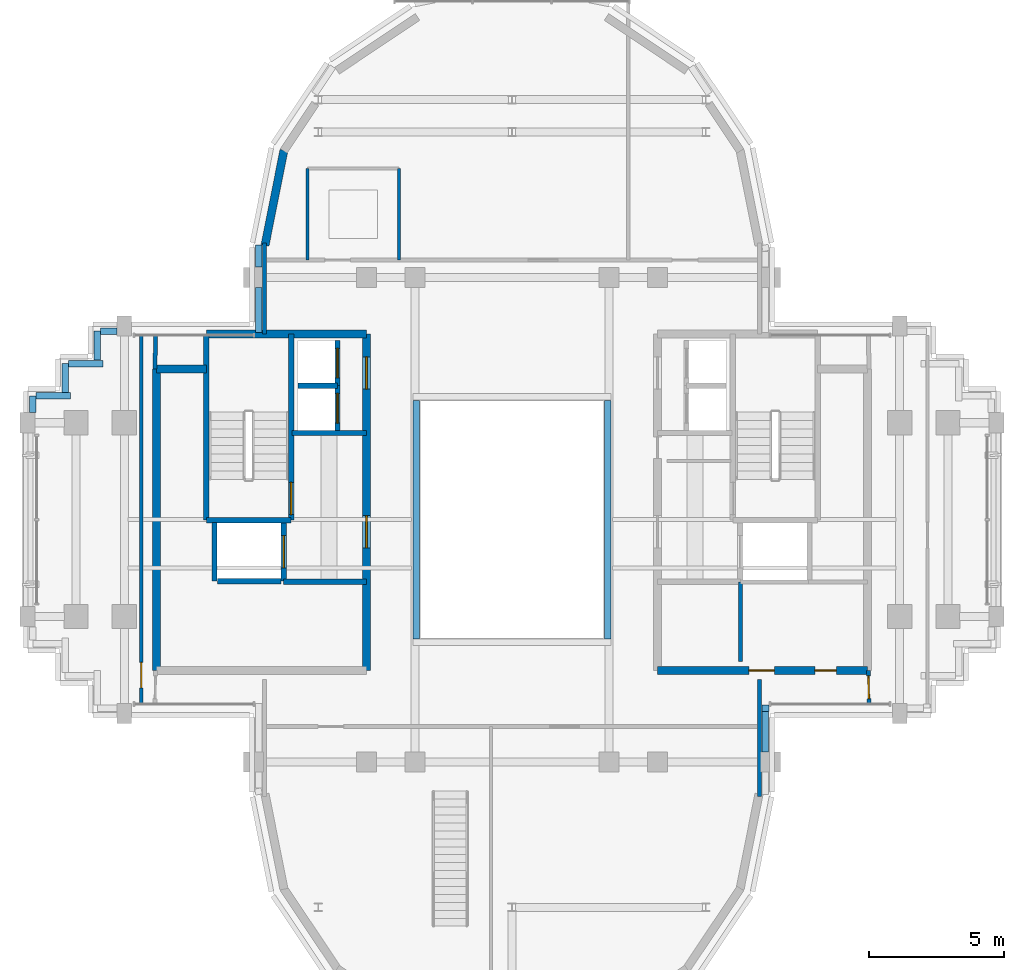
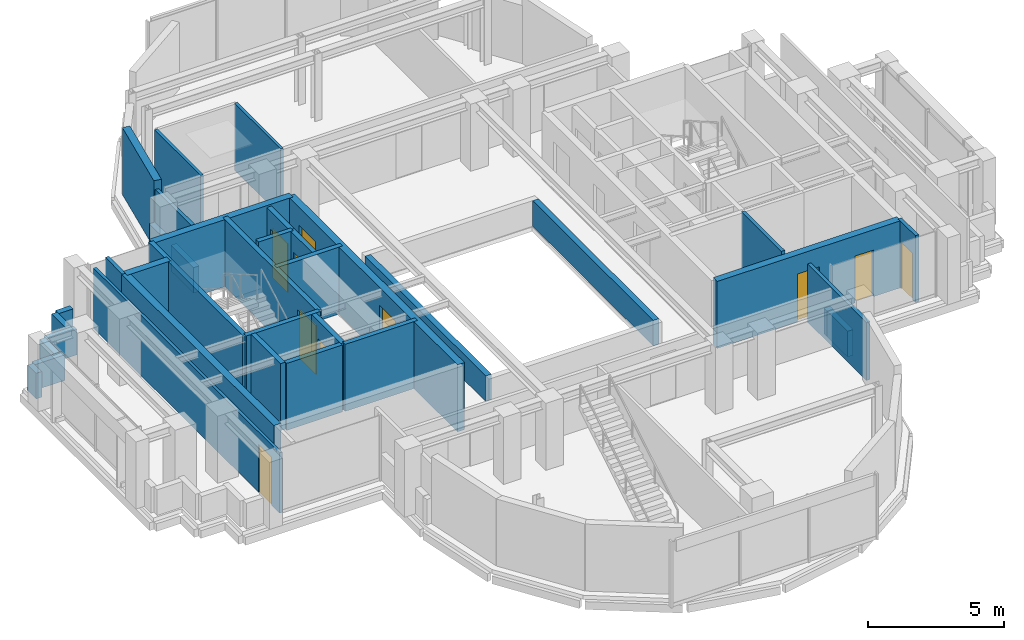
# One storey, part 8 of 12: 37 walls, 10 doors, 10 openings.
"""IFC4 building model written with IfcOpenShell, lengths in metres."""

import ifcopenshell
import ifcopenshell.guid

model = None  # the IFC model being written
_history = None  # IfcOwnerHistory: only IFC2X3 demands one
_inside = {}  # id of a spatial element -> (the spatial element, [elements in it])
_under = {}  # id of a project, library or spatial element -> (it, [spatial elements below it])
_declared = {}  # id of a project -> (the project, [libraries it declares])
_typed = {}  # id of a type object -> (the type object, [elements of that type])
_made_of = {}  # id of a material, layer set ... -> (it, [elements and type objects made of it])


def new_model(schema):
    """Start an empty IFC model of exactly this schema.

    Asked for "IFC4X3", IfcOpenShell would pick the latest addendum, in which some entities
    have other attributes; the version numbers below select the first issue.
    IFC2X3 requires an IfcOwnerHistory on every rooted entity: one is made here for all.
    """
    global model, _history
    if schema == "IFC4X3":
        model = ifcopenshell.file(schema_version=(4, 3, 0, 0))
    else:
        model = ifcopenshell.file(schema=schema)
    _inside.clear()
    _under.clear()
    _declared.clear()
    _typed.clear()
    _made_of.clear()
    _history = None
    if model.schema == "IFC2X3":
        org = make("IfcOrganization", Name="unknown")
        user = make(
            "IfcPersonAndOrganization",
            ThePerson=make("IfcPerson", FamilyName="unknown"),
            TheOrganization=org,
        )
        app = make(
            "IfcApplication",
            ApplicationDeveloper=org,
            Version="unknown",
            ApplicationFullName="unknown",
            ApplicationIdentifier="unknown",
        )
        _history = make(
            "IfcOwnerHistory",
            OwningUser=user,
            OwningApplication=app,
            ChangeAction="ADDED",
            CreationDate=0,
        )
    return model


def make(cls, **values):
    """One entity of the class cls with the attributes given. An attribute that is None is left unset."""
    return model.create_entity(
        cls, **{name: value for name, value in values.items() if value is not None}
    )


def rooted(cls, **values):
    """An entity with a GlobalId (a new one), such as an element, a storey or a relation."""
    return make(cls, GlobalId=ifcopenshell.guid.new(), OwnerHistory=_history, **values)


def si_unit(unit_type, name, prefix=None):
    """IfcSIUnit, for example si_unit("LENGTHUNIT", "METRE", prefix="MILLI")."""
    return make("IfcSIUnit", UnitType=unit_type, Prefix=prefix, Name=name)


def assignment(units):
    """IfcUnitAssignment: the units of a project."""
    return None if units is None else make("IfcUnitAssignment", Units=units)


def point(xyz):
    """IfcCartesianPoint."""
    return None if xyz is None else make("IfcCartesianPoint", Coordinates=xyz)


def direction(xyz):
    """IfcDirection."""
    return None if xyz is None else make("IfcDirection", DirectionRatios=xyz)


def frame(location, z_axis=None, x_axis=None):
    """IfcAxis2Placement3D, a coordinate frame: its origin and axes. An axis left out is left unset."""
    return make(
        "IfcAxis2Placement3D",
        Location=point(location),
        Axis=direction(z_axis),
        RefDirection=direction(x_axis),
    )


def frame_2d(location, x_axis=None):
    """IfcAxis2Placement2D, a coordinate frame in the plane: its origin and x axis."""
    return make(
        "IfcAxis2Placement2D", Location=point(location), RefDirection=direction(x_axis)
    )


def origin():
    """The frame at (0, 0, 0) with its axes left unset."""
    return frame((0.0, 0.0, 0.0))


def place(relative_to, where):
    """IfcLocalPlacement: puts the frame where relative to a parent placement (None: the world)."""
    return make(
        "IfcLocalPlacement", PlacementRelTo=relative_to, RelativePlacement=where
    )


def context(
    kind, dimensions, precision=None, world=None, true_north=None, identifier=None
):
    """IfcGeometricRepresentationContext, for example the 3D "Model" context."""
    return make(
        "IfcGeometricRepresentationContext",
        ContextIdentifier=identifier,
        ContextType=kind,
        CoordinateSpaceDimension=dimensions,
        Precision=precision,
        WorldCoordinateSystem=world,
        TrueNorth=true_north,
    )


def subcontext(parent, identifier, kind, view, scale=None):
    """IfcGeometricRepresentationSubContext, for example "Body" below "Model"."""
    return make(
        "IfcGeometricRepresentationSubContext",
        ContextIdentifier=identifier,
        ContextType=kind,
        ParentContext=parent,
        TargetScale=scale,
        TargetView=view,
    )


def project(units=None, contexts=None):
    """IfcProject with its units and contexts."""
    return rooted(
        "IfcProject",
        Name="project",
        RepresentationContexts=contexts,
        UnitsInContext=assignment(units),
    )


def spatial(cls, under=None, at=None, **own):
    """A site, building, storey or space (cls), placed at a placement, below another one or the project."""
    s = rooted(cls, ObjectPlacement=at, **own)
    if under is not None:
        _under.setdefault(under.id(), (under, []))[1].append(s)
    return s


def profile(cls, at=None, kind="AREA", **sizes):
    """A parametric profile (cls). Its sizes go by their IFC names, for example OverallWidth=200.0."""
    return make(cls, ProfileType=kind, Position=at, **sizes)


def rectangle(**sizes):
    """IfcRectangleProfileDef."""
    return profile("IfcRectangleProfileDef", **sizes)


def extrude(swept, where, along, depth):
    """IfcExtrudedAreaSolid: the profile swept, set in the frame where, extruded along a direction by depth."""
    return make(
        "IfcExtrudedAreaSolid",
        SweptArea=swept,
        Position=where,
        ExtrudedDirection=direction(along),
        Depth=depth,
    )


def shape(context_of_items, identifier, shape_type, items):
    """IfcShapeRepresentation: the items that make up one representation, for example the "Body"."""
    return make(
        "IfcShapeRepresentation",
        ContextOfItems=context_of_items,
        RepresentationIdentifier=identifier,
        RepresentationType=shape_type,
        Items=items,
    )


def source(mapping_origin, context_of_items, identifier, shape_type, items):
    """IfcRepresentationMap: a shape defined once, which mapped items show again and again."""
    return make(
        "IfcRepresentationMap",
        MappingOrigin=mapping_origin,
        MappedRepresentation=shape(context_of_items, identifier, shape_type, items),
    )


def transform(
    local_origin,
    x_axis=None,
    y_axis=None,
    z_axis=None,
    scale=None,
    scale2=None,
    scale3=None,
    uniform=True,
):
    """IfcCartesianTransformationOperator3D, or its non-uniform kind. x_axis, y_axis, z_axis: its Axis1, 2, 3."""
    if uniform:
        return make(
            "IfcCartesianTransformationOperator3D",
            Axis1=direction(x_axis),
            Axis2=direction(y_axis),
            LocalOrigin=point(local_origin),
            Scale=scale,
            Axis3=direction(z_axis),
        )
    return make(
        "IfcCartesianTransformationOperator3DnonUniform",
        Axis1=direction(x_axis),
        Axis2=direction(y_axis),
        LocalOrigin=point(local_origin),
        Scale=scale,
        Axis3=direction(z_axis),
        Scale2=scale2,
        Scale3=scale3,
    )


def mapped(mapping_source, mapping_target):
    """IfcMappedItem: shows the shape of a source again, moved by a transform."""
    return make(
        "IfcMappedItem", MappingSource=mapping_source, MappingTarget=mapping_target
    )


def material(Name=None, Category=None):
    """IfcMaterial."""
    return make("IfcMaterial", Name=Name, Category=Category)


def layer(
    of_material, thickness, ventilated=None, Name=None, Category=None, Priority=None
):
    """IfcMaterialLayer: one layer of a wall or slab, of a material (None: an air gap)."""
    return make(
        "IfcMaterialLayer",
        Material=of_material,
        LayerThickness=thickness,
        IsVentilated=ventilated,
        Name=Name,
        Category=Category,
        Priority=Priority,
    )


def layer_set(layers, Name=None):
    """IfcMaterialLayerSet."""
    return make("IfcMaterialLayerSet", MaterialLayers=layers, LayerSetName=Name)


def made_of(thing, what):
    """Note that an element or type object is made of a material, layer set ...; save() writes the relation."""
    if what is not None:
        _made_of.setdefault(what.id(), (what, []))[1].append(thing)
    return thing


def type_object(cls, material=None, **own):
    """A type object (cls), such as IfcWallType, which elements share."""
    return made_of(rooted(cls, **own), material)


def element(
    cls,
    number,
    at=None,
    inside=None,
    cuts=None,
    type_object=None,
    material=None,
    context=None,
    identifier="Body",
    shape_type=None,
    held_by="IfcProductDefinitionShape",
    body=None,
    shapes=None,
    **own,
):
    """One element of the class cls, such as IfcWall. Its Tag is "e" and its number.

    at: its placement. inside: the storey or other place that contains it. cuts: it is an
    opening in that element (IfcRelVoidsElement). A single representation is given by context,
    identifier, shape_type and body (its items); several are given by shapes. held_by: the class
    of the entity that holds the representations. save() writes the other relations.
    """
    e = rooted(cls, Tag="e%d" % number, ObjectPlacement=at, **own)
    if body is not None:
        shapes = [shape(context, identifier, shape_type, body)]
    if shapes is not None:
        e.Representation = make(held_by, Representations=shapes)
    if inside is not None:
        _inside.setdefault(inside.id(), (inside, []))[1].append(e)
    if cuts is not None:
        rooted(
            "IfcRelVoidsElement", RelatingBuildingElement=cuts, RelatedOpeningElement=e
        )
    if type_object is not None:
        _typed.setdefault(type_object.id(), (type_object, []))[1].append(e)
    return made_of(e, material)


def fill(opening, filler):
    """IfcRelFillsElement: the door or window that sits in an opening."""
    return rooted(
        "IfcRelFillsElement",
        RelatingOpeningElement=opening,
        RelatedBuildingElement=filler,
    )


def aggregate(whole, parts):
    """IfcRelAggregates: a whole, such as a stair, and the parts it consists of."""
    return rooted("IfcRelAggregates", RelatingObject=whole, RelatedObjects=parts)


def save(model, path):
    """Write the relations noted so far, then the file.

    IfcRelAggregates (storeys below a building ...), IfcRelContainedInSpatialStructure (elements
    in a storey), IfcRelDefinesByType, IfcRelAssociatesMaterial and IfcRelDeclares: one each for
    every whole, place, type object, material and project.
    """
    for whole, parts in _under.values():
        aggregate(whole, parts)
    for where, things in _inside.values():
        rooted(
            "IfcRelContainedInSpatialStructure",
            RelatedElements=things,
            RelatingStructure=where,
        )
    for kind, things in _typed.values():
        rooted("IfcRelDefinesByType", RelatedObjects=things, RelatingType=kind)
    for what, things in _made_of.values():
        rooted("IfcRelAssociatesMaterial", RelatedObjects=things, RelatingMaterial=what)
    for by, libraries in _declared.values():
        rooted("IfcRelDeclares", RelatingContext=by, RelatedDefinitions=libraries)
    model.write(path)


model = new_model("IFC4")

# Units and contexts
model_context = context("Model", 3, precision=1e-05, world=origin(), true_north=direction((0.0, 1.0)))
body_context = subcontext(model_context, "Body", "Model", "MODEL_VIEW")
ifc_project = project(units=[si_unit("LENGTHUNIT", "METRE"), si_unit("AREAUNIT", "SQUARE_METRE"), si_unit("VOLUMEUNIT", "CUBIC_METRE"), si_unit("PLANEANGLEUNIT", "RADIAN"), si_unit("MASSUNIT", "GRAM", prefix="KILO")], contexts=[model_context])

# Site, building, storey
site_placement = place(None, origin())
site = spatial("IfcSite", under=ifc_project, at=site_placement, CompositionType="ELEMENT")
building_placement = place(site_placement, origin())
building = spatial("IfcBuilding", under=site, at=building_placement, Name="Keilestroom Media Tower", CompositionType="ELEMENT")
storey_placement = place(building_placement, frame((0.0, 0.0, 239.60009765625)))
storey = spatial("IfcBuildingStorey", under=building, at=storey_placement, Name="L66", CompositionType="ELEMENT", Elevation=239.60009765625)

# Walls
ifc_material_1 = material(Name="Precast concrete C40/50", Category="concrete")
ifc_layer_1 = layer(ifc_material_1, 0.300048828125)
ifc_layer_set_1 = layer_set([ifc_layer_1], Name="Precast concrete C40/50")
wall_type_1 = type_object("IfcWallType", Name="Exterior-Masonry-Spandrel-Wall-300", PredefinedType="SOLIDWALL", material=ifc_layer_set_1)
wall_1_placement = place(storey_placement, frame((-8.470703125, 13.724609375, 0.0), z_axis=(0.0, 0.0, 1.0), x_axis=(-0.195114232679, -0.980780523974, 0.0)))
element("IfcWall", 1, at=wall_1_placement, inside=storey, type_object=wall_type_1, Name="L66 Lobe Facet Precast Frame Wall 06", PredefinedType="SOLIDWALL", context=body_context, shape_type="SweptSolid", body=[
    extrude(rectangle(XDim=3.608642578125, YDim=0.300048828125, at=frame_2d((1.80419921875, 0.0))), origin(), (0.0, 0.0, 1.0), 3.010009765625),
])
ifc_material_2 = material(Name="Gypsum Plasterboard & Steel Stud", Category="steel")
ifc_layer_2 = layer(ifc_material_2, 0.1201171875)
ifc_layer_set_2 = layer_set([ifc_layer_2], Name="Gypsum Plasterboard & Steel Stud")
wall_type_2 = type_object("IfcWallType", Name="Interior-Partition-Wall-120", PredefinedType="PARTITIONING", material=ifc_layer_set_2)
for number, where, z_axis, x_axis, name in (
    (2, (-7.60009765625, 9.639892578125, 0.0), (0.0, 0.0, 1.0), (0.0, 1.0, 0.0), "L66 Interior Wall WP-L66-NL-WC-W"),
    (3, (-4.199951171875, 9.639892578125, 0.0), (0.0, 0.0, 1.0), (0.0, 1.0, 0.0), "L66 Interior Wall WP-L66-NL-WC-E"),
):
    element("IfcWall", number, at=place(storey_placement, frame(where, z_axis=z_axis, x_axis=x_axis)), inside=storey, type_object=wall_type_2, Name=name, PredefinedType="PARTITIONING", context=body_context, shape_type="SweptSolid", body=[
        extrude(rectangle(XDim=3.400146484375, YDim=0.1201171875, at=frame_2d((1.7001953125, 0.0))), origin(), (0.0, 0.0, 1.0), 3.010009765625),
    ])

# Wall, opening, door
wall_2_placement = place(storey_placement, frame((-13.77001953125, -6.85009765625, 0.0), z_axis=(0.0, 0.0, 1.0), x_axis=(0.0, 1.0, 0.0)))
wall_2 = element("IfcWall", 4, at=wall_2_placement, inside=storey, type_object=wall_type_2, Name="L66 Interior Wall WP-L66-WA-CE", PredefinedType="PARTITIONING", context=body_context, shape_type="SweptSolid", body=[
    extrude(rectangle(XDim=13.7001953125, YDim=0.1201171875, at=frame_2d((6.85009765625, 0.0))), origin(), (0.0, 0.0, 1.0), 2.7099609375),
])
opening_1_placement = place(wall_2_placement, frame((0.60009765625, 0.0, 0.0)))
opening_1 = element("IfcOpeningElement", 5, at=opening_1_placement, cuts=wall_2, Name="Opening DI-03", PredefinedType="OPENING", context=body_context, shape_type="SweptSolid", body=[
    extrude(rectangle(XDim=0.949951171875, YDim=2.14990234375, at=frame_2d((0.47509765625, 1.074951171875))), frame((0.0, 0.070068359375, 0.0), z_axis=(0.0, -1.0, 0.0), x_axis=(1.0, 0.0, 0.0)), (0.0, 0.0, 1.0), 0.14013671875),
])
ifc_material_3 = material(Name="Lacquered European Oak Leaf", Category="wood")
door_type_1 = type_object("IfcDoorType", Name="Interior-Room-And-Suite-Door-DI-03", OperationType="NOTDEFINED", PredefinedType="DOOR", material=ifc_material_3)
shared_shape_1 = source(origin(), body_context, "Body", "SweptSolid", [
    extrude(rectangle(XDim=0.949951171875, YDim=2.14990234375, at=frame_2d((0.47509765625, 1.074951171875))), frame((0.0, 0.02490234375, 0.0), z_axis=(0.0, -1.0, 0.0), x_axis=(1.0, 0.0, 0.0)), (0.0, 0.0, 1.0), 0.050048828125),
])
door_1_placement = place(opening_1_placement, origin())
door_1 = element("IfcDoor", 6, at=door_1_placement, inside=storey, type_object=door_type_1, Name="L66 Interior Door DI-L66-DWA-END", OperationType="SINGLE_SWING_LEFT", OverallHeight=2.14990234375, OverallWidth=0.949951171875, PredefinedType="DOOR", context=body_context, shape_type="MappedRepresentation", body=[
    mapped(shared_shape_1, transform((0.0, 0.0, 0.0), x_axis=(1.0, 0.0, 0.0), y_axis=(0.0, 1.0, 0.0), z_axis=(0.0, 0.0, 1.0), scale=1.0)),
])
fill(opening_1, door_1)

# Walls
ifc_layer_3 = layer(ifc_material_2, 0.14990234375)
ifc_layer_set_3 = layer_set([ifc_layer_3], Name="Gypsum Plasterboard & Steel Stud")
wall_type_3 = type_object("IfcWallType", Name="Interior-Partition-Wall-150", PredefinedType="PARTITIONING", material=ifc_layer_set_3)
wall_3_placement = place(storey_placement, frame((8.47998046875, -5.260009765625, 0.0), z_axis=(0.0, 0.0, 1.0), x_axis=(0.0, 1.0, 0.0)))
element("IfcWall", 7, at=wall_3_placement, inside=storey, type_object=wall_type_3, Name="L66 Interior Wall WP-L66-RECME-W", PredefinedType="PARTITIONING", context=body_context, shape_type="SweptSolid", body=[
    extrude(rectangle(XDim=2.93994140625, YDim=0.14990234375, at=frame_2d((1.469970703125, 0.0))), origin(), (0.0, 0.0, 1.0), 3.010009765625),
])
wall_4_placement = place(storey_placement, frame((-9.199951171875, 6.89990234375, 0.0), z_axis=(0.0, 0.0, 1.0), x_axis=(0.0, 1.0, 0.0)))
element("IfcWall", 8, at=wall_4_placement, inside=storey, type_object=wall_type_3, Name="L66 Interior Wall WP-L66-NL-CHKW", PredefinedType="PARTITIONING", context=body_context, shape_type="SweptSolid", body=[
    extrude(rectangle(XDim=3.380126953125, YDim=0.14990234375, at=frame_2d((1.68994140625, 0.0))), origin(), (0.0, 0.0, 1.0), 2.60986328125),
])
wall_5_placement = place(storey_placement, frame((9.199951171875, -10.280029296875, 0.0), z_axis=(0.0, 0.0, 1.0), x_axis=(0.0, 1.0, 0.0)))
element("IfcWall", 9, at=wall_5_placement, inside=storey, type_object=wall_type_3, Name="L66 Interior Wall WP-L66-SL-CHKE", PredefinedType="PARTITIONING", context=body_context, shape_type="SweptSolid", body=[
    extrude(rectangle(XDim=4.340087890625, YDim=0.14990234375, at=frame_2d((2.169921875, 0.0))), origin(), (0.0, 0.0, 1.0), 2.60986328125),
])
wall_6_placement = place(storey_placement, frame((-13.260009765625, 5.60009765625, 0.0), z_axis=(0.0, 0.0, 1.0), x_axis=(0.016013571389, 0.999871774545, 0.0)))
element("IfcWall", 10, at=wall_6_placement, inside=storey, type_object=wall_type_3, Name="L66 Interior Wall WP-L66-WA-ENTN", PredefinedType="PARTITIONING", context=body_context, shape_type="SweptSolid", body=[
    extrude(rectangle(XDim=1.250244140625, YDim=0.14990234375, at=frame_2d((0.625, 0.0))), origin(), (0.0, 0.0, 1.0), 3.010009765625),
])

# Wall, opening, door
wall_7_placement = place(storey_placement, frame((13.260009765625, -6.85009765625, 0.0), z_axis=(0.0, 0.0, 1.0), x_axis=(-0.016013571389, 0.999871774545, 0.0)))
wall_7 = element("IfcWall", 11, at=wall_7_placement, inside=storey, type_object=wall_type_3, Name="L66 Interior Wall WP-L66-EA-ENTS", PredefinedType="PARTITIONING", context=body_context, shape_type="SweptSolid", body=[
    extrude(rectangle(XDim=1.250244140625, YDim=0.14990234375, at=frame_2d((0.625, 0.0))), origin(), (0.0, 0.0, 1.0), 3.010009765625),
])
opening_2_placement = place(wall_7_placement, frame((0.199951171875, 0.0, 0.0)))
opening_2 = element("IfcOpeningElement", 12, at=opening_2_placement, cuts=wall_7, Name="Opening DI-05", PredefinedType="OPENING", context=body_context, shape_type="SweptSolid", body=[
    extrude(rectangle(XDim=0.85009765625, YDim=2.10009765625, at=frame_2d((0.425048828125, 1.050048828125))), frame((0.0, 0.0849609375, 0.0), z_axis=(0.0, -1.0, 0.0), x_axis=(1.0, 0.0, 0.0)), (0.0, 0.0, 1.0), 0.169921875),
])
ifc_material_4 = material(Name="Moisture-Resistant Oak Leaf", Category="wood")
door_type_2 = type_object("IfcDoorType", Name="Interior-En-Suite-And-Cupboard-Door-DI-05", OperationType="NOTDEFINED", PredefinedType="DOOR", material=ifc_material_4)
shared_shape_2 = source(origin(), body_context, "Body", "SweptSolid", [
    extrude(rectangle(XDim=0.85009765625, YDim=2.10009765625, at=frame_2d((0.425048828125, 1.050048828125))), frame((0.0, 0.02490234375, 0.0), z_axis=(0.0, -1.0, 0.0), x_axis=(1.0, 0.0, 0.0)), (0.0, 0.0, 1.0), 0.050048828125),
])
door_2_placement = place(opening_2_placement, origin())
door_2 = element("IfcDoor", 13, at=door_2_placement, inside=storey, type_object=door_type_2, Name="L66 Interior Door DI-L66-DEA-W", OperationType="SINGLE_SWING_LEFT", OverallHeight=2.10009765625, OverallWidth=0.85009765625, PredefinedType="DOOR", context=body_context, shape_type="MappedRepresentation", body=[
    mapped(shared_shape_2, transform((0.0, 0.0, 0.0), x_axis=(1.0, 0.0, 0.0), y_axis=(0.0, 1.0, 0.0), z_axis=(0.0, 0.0, 1.0), scale=1.0)),
])
fill(opening_2, door_2)

# Wall
ifc_material_5 = material(Name="Concrete C50/60", Category="concrete")
ifc_layer_4 = layer(ifc_material_5, 0.300048828125)
ifc_layer_set_4 = layer_set([ifc_layer_4], Name="Concrete C50/60")
wall_type_4 = type_object("IfcWallType", Name="Reinforced-Concrete-Core-Shear-Wall-300", PredefinedType="SHEAR", material=ifc_layer_set_4)
wall_8_placement = place(storey_placement, frame((-13.199951171875, -5.60009765625, 0.0), z_axis=(0.0, 0.0, 1.0), x_axis=(0.0, 1.0, 0.0)))
element("IfcWall", 14, at=wall_8_placement, inside=storey, type_object=wall_type_4, Name="L66 Core Shear Wall WL-L66-CORE-W-OUT", PredefinedType="SHEAR", context=body_context, shape_type="SweptSolid", body=[
    extrude(rectangle(XDim=11.2001953125, YDim=0.300048828125, at=frame_2d((5.60009765625, 0.0))), origin(), (0.0, 0.0, 1.0), 3.010009765625),
])

# Wall, openings, doors
wall_9_placement = place(storey_placement, frame((-5.39990234375, -5.60009765625, 0.0), z_axis=(0.0, 0.0, 1.0), x_axis=(0.0, 1.0, 0.0)))
wall_9 = element("IfcWall", 15, at=wall_9_placement, inside=storey, type_object=wall_type_4, Name="L66 Core Shear Wall WL-L66-CORE-W-IN", PredefinedType="SHEAR", context=body_context, shape_type="SweptSolid", body=[
    extrude(rectangle(XDim=12.5, YDim=0.300048828125, at=frame_2d((6.25, 0.0))), origin(), (0.0, 0.0, 1.0), 3.010009765625),
])
opening_3_placement = place(wall_9_placement, frame((4.550048828125, 0.0, 0.0)))
opening_3 = element("IfcOpeningElement", 16, at=opening_3_placement, cuts=wall_9, Name="Opening DI-02", PredefinedType="OPENING", context=body_context, shape_type="SweptSolid", body=[
    extrude(rectangle(XDim=1.199951171875, YDim=2.199951171875, at=frame_2d((0.60009765625, 1.10009765625))), frame((0.0, 0.16015625, 0.0), z_axis=(0.0, -1.0, 0.0), x_axis=(1.0, 0.0, 0.0)), (0.0, 0.0, 1.0), 0.320068359375),
])
opening_4_placement = place(wall_9_placement, frame((10.449951171875, 0.0, 0.0)))
opening_4 = element("IfcOpeningElement", 17, at=opening_4_placement, cuts=wall_9, Name="Opening DI-02", PredefinedType="OPENING", context=body_context, shape_type="SweptSolid", body=[
    extrude(rectangle(XDim=1.199951171875, YDim=2.199951171875, at=frame_2d((0.60009765625, 1.10009765625))), frame((0.0, 0.16015625, 0.0), z_axis=(0.0, -1.0, 0.0), x_axis=(1.0, 0.0, 0.0)), (0.0, 0.0, 1.0), 0.320068359375),
])
ifc_material_6 = material(Name="Powder-Coated Steel Fire Leaf", Category="steel")
door_type_3 = type_object("IfcDoorType", Name="Interior-Compartment-Fire-Door-DI-02", OperationType="NOTDEFINED", PredefinedType="DOOR", material=ifc_material_6)
shared_shape_3 = source(origin(), body_context, "Body", "SweptSolid", [
    extrude(rectangle(XDim=1.199951171875, YDim=2.199951171875, at=frame_2d((0.60009765625, 1.10009765625))), frame((0.0, 0.02490234375, 0.0), z_axis=(0.0, -1.0, 0.0), x_axis=(1.0, 0.0, 0.0)), (0.0, 0.0, 1.0), 0.050048828125),
])
door_3_placement = place(opening_3_placement, origin())
door_3 = element("IfcDoor", 18, at=door_3_placement, inside=storey, type_object=door_type_3, Name="L66 W Firefighting Lobby Door", OperationType="SINGLE_SWING_RIGHT", OverallHeight=2.199951171875, OverallWidth=1.199951171875, PredefinedType="DOOR", context=body_context, shape_type="MappedRepresentation", body=[
    mapped(shared_shape_3, transform((0.0, 0.0, 0.0), x_axis=(1.0, 0.0, 0.0), y_axis=(0.0, 1.0, 0.0), z_axis=(0.0, 0.0, 1.0), scale=1.0)),
])
fill(opening_3, door_3)
door_4_placement = place(opening_4_placement, origin())
door_4 = element("IfcDoor", 19, at=door_4_placement, inside=storey, type_object=door_type_3, Name="L66 W High-Rise Lift Lobby Door", OperationType="SINGLE_SWING_LEFT", OverallHeight=2.199951171875, OverallWidth=1.199951171875, PredefinedType="DOOR", context=body_context, shape_type="MappedRepresentation", body=[
    mapped(shared_shape_3, transform((0.0, 0.0, 0.0), x_axis=(1.0, 0.0, 0.0), y_axis=(0.0, 1.0, 0.0), z_axis=(0.0, 0.0, 1.0), scale=1.0)),
])
fill(opening_4, door_4)

# Walls
wall_10_placement = place(storey_placement, frame((-11.35595703125, 6.89990234375, 0.0), z_axis=(0.0, 0.0, 1.0), x_axis=(1.0, 0.0, 0.0)))
element("IfcWall", 20, at=wall_10_placement, inside=storey, type_object=wall_type_4, Name="L66 Core Shear Wall WL-L66-CORE-W-N", PredefinedType="SHEAR", context=body_context, shape_type="SweptSolid", body=[
    extrude(rectangle(XDim=5.9560546875, YDim=0.300048828125, at=frame_2d((2.97802734375, 0.0))), origin(), (0.0, 0.0, 1.0), 3.010009765625),
])
wall_11_placement = place(storey_placement, frame((-13.199951171875, 5.60009765625, 0.0), z_axis=(0.0, 0.0, 1.0), x_axis=(1.0, 0.0, 0.0)))
element("IfcWall", 21, at=wall_11_placement, inside=storey, type_object=wall_type_4, Name="L66 Core Shear Wall WL-L66-CNW-N", PredefinedType="SHEAR", context=body_context, shape_type="SweptSolid", body=[
    extrude(rectangle(XDim=1.843994140625, YDim=0.300048828125, at=frame_2d((0.921875, 0.0))), origin(), (0.0, 0.0, 1.0), 3.010009765625),
])

# Wall, openings, doors
wall_12_placement = place(storey_placement, frame((5.39990234375, -5.60009765625, 0.0), z_axis=(0.0, 0.0, 1.0), x_axis=(1.0, 0.0, 0.0)))
wall_12 = element("IfcWall", 22, at=wall_12_placement, inside=storey, type_object=wall_type_4, Name="L66 Core Shear Wall WL-L66-CORE-E-S", PredefinedType="SHEAR", context=body_context, shape_type="SweptSolid", body=[
    extrude(rectangle(XDim=7.800048828125, YDim=0.300048828125, at=frame_2d((3.89990234375, 0.0))), origin(), (0.0, 0.0, 1.0), 3.010009765625),
])
opening_5_placement = place(wall_12_placement, frame((5.85009765625, 0.0, 0.0)))
opening_5 = element("IfcOpeningElement", 23, at=opening_5_placement, cuts=wall_12, Name="Opening DI-06", PredefinedType="OPENING", context=body_context, shape_type="SweptSolid", body=[
    extrude(rectangle(XDim=0.800048828125, YDim=2.10009765625, at=frame_2d((0.39990234375, 1.050048828125))), frame((0.0, 0.16015625, 0.0), z_axis=(0.0, -1.0, 0.0), x_axis=(1.0, 0.0, 0.0)), (0.0, 0.0, 1.0), 0.320068359375),
])
opening_6_placement = place(wall_12_placement, frame((3.39990234375, 0.0, 0.0)))
opening_6 = element("IfcOpeningElement", 24, at=opening_6_placement, cuts=wall_12, Name="Opening DI-03", PredefinedType="OPENING", context=body_context, shape_type="SweptSolid", body=[
    extrude(rectangle(XDim=0.949951171875, YDim=2.14990234375, at=frame_2d((0.47509765625, 1.074951171875))), frame((0.0, 0.16015625, 0.0), z_axis=(0.0, -1.0, 0.0), x_axis=(1.0, 0.0, 0.0)), (0.0, 0.0, 1.0), 0.320068359375),
])
ifc_material_7 = material(Name="Powder-Coated Steel Service Leaf", Category="steel")
door_type_4 = type_object("IfcDoorType", Name="Interior-Riser-Access-Door-DI-06", OperationType="NOTDEFINED", PredefinedType="DOOR", material=ifc_material_7)
shared_shape_4 = source(origin(), body_context, "Body", "SweptSolid", [
    extrude(rectangle(XDim=0.800048828125, YDim=2.10009765625, at=frame_2d((0.39990234375, 1.050048828125))), frame((0.0, 0.02490234375, 0.0), z_axis=(0.0, -1.0, 0.0), x_axis=(1.0, 0.0, 0.0)), (0.0, 0.0, 1.0), 0.050048828125),
])
door_5_placement = place(opening_5_placement, origin())
door_5 = element("IfcDoor", 25, at=door_5_placement, inside=storey, type_object=door_type_4, Name="L66 Reclaimed East Core Room Door", OperationType="SINGLE_SWING_RIGHT", OverallHeight=2.10009765625, OverallWidth=0.800048828125, PredefinedType="DOOR", context=body_context, shape_type="MappedRepresentation", body=[
    mapped(shared_shape_4, transform((0.0, 0.0, 0.0), x_axis=(1.0, 0.0, 0.0), y_axis=(0.0, 1.0, 0.0), z_axis=(0.0, 0.0, 1.0), scale=1.0)),
])
fill(opening_5, door_5)
door_6_placement = place(opening_6_placement, origin())
door_6 = element("IfcDoor", 26, at=door_6_placement, inside=storey, type_object=door_type_1, Name="L66 Reclaimed Mid East Room Door", OperationType="SINGLE_SWING_RIGHT", OverallHeight=2.14990234375, OverallWidth=0.949951171875, PredefinedType="DOOR", context=body_context, shape_type="MappedRepresentation", body=[
    mapped(shared_shape_1, transform((0.0, 0.0, 0.0), x_axis=(1.0, 0.0, 0.0), y_axis=(0.0, 1.0, 0.0), z_axis=(0.0, 0.0, 1.0), scale=1.0)),
])
fill(opening_6, door_6)

# Walls
ifc_layer_5 = layer(ifc_material_5, 0.199951171875)
ifc_layer_set_5 = layer_set([ifc_layer_5], Name="Concrete C50/60")
wall_type_5 = type_object("IfcWallType", Name="Reinforced-Concrete-Shaft-Wall-200", PredefinedType="SOLIDWALL", material=ifc_layer_set_5)
wall_13_placement = place(storey_placement, frame((-8.179931640625, 3.219970703125, 0.0), z_axis=(0.0, 0.0, 1.0), x_axis=(1.0, 0.0, 0.0)))
element("IfcWall", 27, at=wall_13_placement, inside=storey, type_object=wall_type_5, Name="L66 Core Shear Wall WL-L66-CORE-W-FFN", PredefinedType="SOLIDWALL", context=body_context, shape_type="SweptSolid", body=[
    extrude(rectangle(XDim=2.780029296875, YDim=0.199951171875, at=frame_2d((1.39013671875, 0.0))), origin(), (0.0, 0.0, 1.0), 3.010009765625),
])
wall_14_placement = place(storey_placement, frame((-8.47998046875, -2.300048828125, 0.0), z_axis=(0.0, 0.0, 1.0), x_axis=(1.0, 0.0, 0.0)))
element("IfcWall", 28, at=wall_14_placement, inside=storey, type_object=wall_type_5, Name="L66 Core Shear Wall WL-L66-CORE-W-FFS", PredefinedType="SOLIDWALL", context=body_context, shape_type="SweptSolid", body=[
    extrude(rectangle(XDim=3.080078125, YDim=0.199951171875, at=frame_2d((1.5400390625, 0.0))), origin(), (0.0, 0.0, 1.0), 3.010009765625),
])

# Wall, opening, door
wall_15_placement = place(storey_placement, frame((-8.2041015625, -0.01611328125, 0.0), z_axis=(0.0, 0.0, 1.0), x_axis=(0.0, 1.0, 0.0)))
wall_15 = element("IfcWall", 29, at=wall_15_placement, inside=storey, type_object=wall_type_5, Name="L66 Core Shear Wall WL-L66-STW-W-NEAR", PredefinedType="SOLIDWALL", context=body_context, shape_type="SweptSolid", body=[
    extrude(rectangle(XDim=6.916015625, YDim=0.199951171875, at=frame_2d((3.4580078125, 0.0))), origin(), (0.0, 0.0, 1.0), 3.010009765625),
])
opening_7_placement = place(wall_15_placement, frame((0.199951171875, 0.0, 0.0)))
opening_7 = element("IfcOpeningElement", 30, at=opening_7_placement, cuts=wall_15, Name="Opening DI-01S", PredefinedType="OPENING", context=body_context, shape_type="SweptSolid", body=[
    extrude(rectangle(XDim=1.199951171875, YDim=2.199951171875, at=frame_2d((0.60009765625, 1.10009765625))), frame((0.0, 0.10986328125, 0.0), z_axis=(0.0, -1.0, 0.0), x_axis=(1.0, 0.0, 0.0)), (0.0, 0.0, 1.0), 0.219970703125),
])
door_type_5 = type_object("IfcDoorType", Name="Interior-Stair-And-Core-Fire-Door-DI-01", OperationType="NOTDEFINED", PredefinedType="DOOR", material=ifc_material_6)
door_7_placement = place(opening_7_placement, origin())
door_7 = element("IfcDoor", 31, at=door_7_placement, inside=storey, type_object=door_type_5, Name="L66 Escape Stair ST-1 Fire Door", OperationType="SINGLE_SWING_LEFT", OverallHeight=2.199951171875, OverallWidth=1.199951171875, PredefinedType="DOOR", context=body_context, shape_type="MappedRepresentation", body=[
    mapped(shared_shape_3, transform((0.0, 0.0, 0.0), x_axis=(1.0, 0.0, 0.0), y_axis=(0.0, 1.0, 0.0), z_axis=(0.0, 0.0, 1.0), scale=1.0)),
])
fill(opening_7, door_7)

# Walls
wall_16_placement = place(storey_placement, frame((-11.35595703125, -0.01611328125, 0.0), z_axis=(0.0, 0.0, 1.0), x_axis=(0.0, 1.0, 0.0)))
element("IfcWall", 32, at=wall_16_placement, inside=storey, type_object=wall_type_5, Name="L66 Core Shear Wall WL-L66-STW-W-FAR", PredefinedType="SOLIDWALL", context=body_context, shape_type="SweptSolid", body=[
    extrude(rectangle(XDim=6.916015625, YDim=0.199951171875, at=frame_2d((3.4580078125, 0.0))), origin(), (0.0, 0.0, 1.0), 3.010009765625),
])
wall_17_placement = place(storey_placement, frame((-11.35595703125, -0.01611328125, 0.0), z_axis=(0.0, 0.0, 1.0), x_axis=(1.0, 0.0, 0.0)))
element("IfcWall", 33, at=wall_17_placement, inside=storey, type_object=wall_type_5, Name="L66 Core Shear Wall WL-L66-STW-W-S", PredefinedType="SOLIDWALL", context=body_context, shape_type="SweptSolid", body=[
    extrude(rectangle(XDim=3.15185546875, YDim=0.199951171875, at=frame_2d((1.575927734375, 0.0))), origin(), (0.0, 0.0, 1.0), 3.010009765625),
])
wall_18_placement = place(storey_placement, frame((-11.050048828125, -2.280029296875, 0.0), z_axis=(0.0, 0.0, 1.0), x_axis=(0.0, 1.0, 0.0)))
element("IfcWall", 34, at=wall_18_placement, inside=storey, type_object=wall_type_5, Name="L66 Core Shear Wall WL-L66-LSH-FFL-1-W", PredefinedType="SOLIDWALL", context=body_context, shape_type="SweptSolid", body=[
    extrude(rectangle(XDim=2.179931640625, YDim=0.199951171875, at=frame_2d((1.08984375, 0.0))), origin(), (0.0, 0.0, 1.0), 3.010009765625),
])

# Wall, opening, door
wall_19_placement = place(storey_placement, frame((-8.47998046875, -2.280029296875, 0.0), z_axis=(0.0, 0.0, 1.0), x_axis=(0.0, 1.0, 0.0)))
wall_19 = element("IfcWall", 35, at=wall_19_placement, inside=storey, type_object=wall_type_5, Name="L66 Core Shear Wall WL-L66-LSH-FFL-1-E", PredefinedType="SOLIDWALL", context=body_context, shape_type="SweptSolid", body=[
    extrude(rectangle(XDim=2.179931640625, YDim=0.199951171875, at=frame_2d((1.08984375, 0.0))), origin(), (0.0, 0.0, 1.0), 3.010009765625),
])
opening_8_placement = place(wall_19_placement, frame((0.489990234375, 0.0, 0.0)))
opening_8 = element("IfcOpeningElement", 36, at=opening_8_placement, cuts=wall_19, Name="Opening LD-02", PredefinedType="OPENING", context=body_context, shape_type="SweptSolid", body=[
    extrude(rectangle(XDim=1.199951171875, YDim=2.199951171875, at=frame_2d((0.60009765625, 1.10009765625))), frame((0.0, 0.10986328125, 0.0), z_axis=(0.0, -1.0, 0.0), x_axis=(1.0, 0.0, 0.0)), (0.0, 0.0, 1.0), 0.219970703125),
])
ifc_material_8 = material(Name="Brushed Stainless Steel Sliding Leaf", Category="steel")
door_type_6 = type_object("IfcDoorType", Name="Lift-Landing-Sliding-Door-LD-02", OperationType="SLIDING_TO_RIGHT", PredefinedType="DOOR", material=ifc_material_8)
door_8_placement = place(opening_8_placement, origin())
door_8 = element("IfcDoor", 37, at=door_8_placement, inside=storey, type_object=door_type_6, Name="L66 Lift FFL-1 Landing Sliding Door", OperationType="SLIDING_TO_RIGHT", OverallHeight=2.199951171875, OverallWidth=1.199951171875, PredefinedType="DOOR", context=body_context, shape_type="MappedRepresentation", body=[
    mapped(shared_shape_3, transform((0.0, 0.0, 0.0), x_axis=(1.0, 0.0, 0.0), y_axis=(0.0, 1.0, 0.0), z_axis=(0.0, 0.0, 1.0), scale=1.0)),
])
fill(opening_8, door_8)

# Wall
wall_20_placement = place(storey_placement, frame((-10.946044921875, -2.280029296875, 0.0), z_axis=(0.0, 0.0, 1.0), x_axis=(1.0, 0.0, 0.0)))
element("IfcWall", 38, at=wall_20_placement, inside=storey, type_object=wall_type_5, Name="L66 Core Shear Wall WL-L66-LSH-FFL-1-S", PredefinedType="SOLIDWALL", context=body_context, shape_type="SweptSolid", body=[
    extrude(rectangle(XDim=2.362060546875, YDim=0.199951171875, at=frame_2d((1.18115234375, 0.0))), origin(), (0.0, 0.0, 1.0), 3.010009765625),
])

# Wall, opening, door
wall_21_placement = place(storey_placement, frame((-6.47998046875, 3.300048828125, 0.0), z_axis=(0.0, 0.0, 1.0), x_axis=(0.0, 1.0, 0.0)))
wall_21 = element("IfcWall", 39, at=wall_21_placement, inside=storey, type_object=wall_type_5, Name="L66 Core Shear Wall WL-L66-LSH-PL-H1-E", PredefinedType="SOLIDWALL", context=body_context, shape_type="SweptSolid", body=[
    extrude(rectangle(XDim=1.679931640625, YDim=0.199951171875, at=frame_2d((0.83984375, 0.0))), origin(), (0.0, 0.0, 1.0), 3.010009765625),
])
opening_9_placement = place(wall_21_placement, frame((0.2900390625, 0.0, 0.0)))
opening_9 = element("IfcOpeningElement", 40, at=opening_9_placement, cuts=wall_21, Name="Opening LD-01", PredefinedType="OPENING", context=body_context, shape_type="SweptSolid", body=[
    extrude(rectangle(XDim=1.10009765625, YDim=2.199951171875, at=frame_2d((0.550048828125, 1.10009765625))), frame((0.0, 0.10986328125, 0.0), z_axis=(0.0, -1.0, 0.0), x_axis=(1.0, 0.0, 0.0)), (0.0, 0.0, 1.0), 0.219970703125),
])
door_type_7 = type_object("IfcDoorType", Name="Lift-Landing-Sliding-Door-LD-01", OperationType="SLIDING_TO_LEFT", PredefinedType="DOOR", material=ifc_material_8)
shared_shape_5 = source(origin(), body_context, "Body", "SweptSolid", [
    extrude(rectangle(XDim=1.10009765625, YDim=2.199951171875, at=frame_2d((0.550048828125, 1.10009765625))), frame((0.0, 0.02490234375, 0.0), z_axis=(0.0, -1.0, 0.0), x_axis=(1.0, 0.0, 0.0)), (0.0, 0.0, 1.0), 0.050048828125),
])
door_9_placement = place(opening_9_placement, origin())
door_9 = element("IfcDoor", 41, at=door_9_placement, inside=storey, type_object=door_type_7, Name="L66 Lift PL-H1 Landing Sliding Door", OperationType="SLIDING_TO_LEFT", OverallHeight=2.199951171875, OverallWidth=1.10009765625, PredefinedType="DOOR", context=body_context, shape_type="MappedRepresentation", body=[
    mapped(shared_shape_5, transform((0.0, 0.0, 0.0), x_axis=(1.0, 0.0, 0.0), y_axis=(0.0, 1.0, 0.0), z_axis=(0.0, 0.0, 1.0), scale=1.0)),
])
fill(opening_9, door_9)

# Wall
wall_22_placement = place(storey_placement, frame((-7.949951171875, 4.97998046875, 0.0), z_axis=(0.0, 0.0, 1.0), x_axis=(1.0, 0.0, 0.0)))
element("IfcWall", 42, at=wall_22_placement, inside=storey, type_object=wall_type_5, Name="L66 Core Shear Wall WL-L66-LSH-PL-H1-N", PredefinedType="SOLIDWALL", context=body_context, shape_type="SweptSolid", body=[
    extrude(rectangle(XDim=1.469970703125, YDim=0.199951171875, at=frame_2d((0.73486328125, 0.0))), origin(), (0.0, 0.0, 1.0), 3.010009765625),
])

# Wall, opening, door
wall_23_placement = place(storey_placement, frame((-6.47998046875, 4.97998046875, 0.0), z_axis=(0.0, 0.0, 1.0), x_axis=(0.0, 1.0, 0.0)))
wall_23 = element("IfcWall", 43, at=wall_23_placement, inside=storey, type_object=wall_type_5, Name="L66 Core Shear Wall WL-L66-LSH-PL-H2-E", PredefinedType="SOLIDWALL", context=body_context, shape_type="SweptSolid", body=[
    extrude(rectangle(XDim=1.669921875, YDim=0.199951171875, at=frame_2d((0.8349609375, 0.0))), origin(), (0.0, 0.0, 1.0), 3.010009765625),
])
opening_10_placement = place(wall_23_placement, frame((0.284912109375, 0.0, 0.0)))
opening_10 = element("IfcOpeningElement", 44, at=opening_10_placement, cuts=wall_23, Name="Opening LD-01", PredefinedType="OPENING", context=body_context, shape_type="SweptSolid", body=[
    extrude(rectangle(XDim=1.10009765625, YDim=2.199951171875, at=frame_2d((0.550048828125, 1.10009765625))), frame((0.0, 0.10986328125, 0.0), z_axis=(0.0, -1.0, 0.0), x_axis=(1.0, 0.0, 0.0)), (0.0, 0.0, 1.0), 0.219970703125),
])
door_10_placement = place(opening_10_placement, origin())
door_10 = element("IfcDoor", 45, at=door_10_placement, inside=storey, type_object=door_type_7, Name="L66 Lift PL-H2 Landing Sliding Door", OperationType="SLIDING_TO_LEFT", OverallHeight=2.199951171875, OverallWidth=1.10009765625, PredefinedType="DOOR", context=body_context, shape_type="MappedRepresentation", body=[
    mapped(shared_shape_5, transform((0.0, 0.0, 0.0), x_axis=(1.0, 0.0, 0.0), y_axis=(0.0, 1.0, 0.0), z_axis=(0.0, 0.0, 1.0), scale=1.0)),
])
fill(opening_10, door_10)

# Walls
ifc_layer_6 = layer(ifc_material_1, 0.239990234375)
ifc_layer_set_6 = layer_set([ifc_layer_6], Name="Precast concrete C40/50")
wall_type_6 = type_object("IfcWallType", Name="Roof-And-Terrace-Parapet-Wall-240", PredefinedType="PARAPET", material=ifc_layer_set_6)
wall_24_placement = place(storey_placement, frame((9.547119140625, -7.0, 0.0), z_axis=(0.0, 0.0, 1.0), x_axis=(-1.0, 0.0, 0.0)))
element("IfcWall", 46, at=wall_24_placement, inside=storey, type_object=wall_type_6, Name="L66 Perimeter Edge Parapet Wall 07", PredefinedType="PARAPET", context=body_context, shape_type="SweptSolid", body=[
    extrude(rectangle(XDim=0.26904296875, YDim=0.239990234375, at=frame_2d((0.134521484375, 0.0))), origin(), (0.0, 0.0, 1.0), 1.14990234375),
])
wall_25_placement = place(storey_placement, frame((9.39990234375, -7.123046875, 0.0), z_axis=(0.0, 0.0, 1.0), x_axis=(0.0, -1.0, 0.0)))
element("IfcWall", 47, at=wall_25_placement, inside=storey, type_object=wall_type_6, Name="L66 Perimeter Edge Parapet Wall 08", PredefinedType="PARAPET", context=body_context, shape_type="SweptSolid", body=[
    extrude(rectangle(XDim=1.4990234375, YDim=0.239990234375, at=frame_2d((0.74951171875, 0.0))), origin(), (0.0, 0.0, 1.0), 1.14990234375),
])
wall_26_placement = place(storey_placement, frame((-17.800048828125, 3.97802734375, 0.0), z_axis=(0.0, 0.0, 1.0), x_axis=(0.0, 1.0, 0.0)))
element("IfcWall", 48, at=wall_26_placement, inside=storey, type_object=wall_type_6, Name="L66 Perimeter Edge Parapet Wall 19", PredefinedType="PARAPET", context=body_context, shape_type="SweptSolid", body=[
    extrude(rectangle(XDim=0.6220703125, YDim=0.239990234375, at=frame_2d((0.31103515625, 0.0))), origin(), (0.0, 0.0, 1.0), 1.14990234375),
])
wall_27_placement = place(storey_placement, frame((-17.677001953125, 4.60009765625, 0.0), z_axis=(0.0, 0.0, 1.0), x_axis=(1.0, 0.0, 0.0)))
element("IfcWall", 49, at=wall_27_placement, inside=storey, type_object=wall_type_6, Name="L66 Perimeter Edge Parapet Wall 20", PredefinedType="PARAPET", context=body_context, shape_type="SweptSolid", body=[
    extrude(rectangle(XDim=1.277099609375, YDim=0.239990234375, at=frame_2d((0.638671875, 0.0))), origin(), (0.0, 0.0, 1.0), 1.14990234375),
])
wall_28_placement = place(storey_placement, frame((-16.60009765625, 4.722900390625, 0.0), z_axis=(0.0, 0.0, 1.0), x_axis=(0.0, 1.0, 0.0)))
element("IfcWall", 50, at=wall_28_placement, inside=storey, type_object=wall_type_6, Name="L66 Perimeter Edge Parapet Wall 21", PredefinedType="PARAPET", context=body_context, shape_type="SweptSolid", body=[
    extrude(rectangle(XDim=1.0771484375, YDim=0.239990234375, at=frame_2d((0.53857421875, 0.0))), origin(), (0.0, 0.0, 1.0), 1.14990234375),
])
wall_29_placement = place(storey_placement, frame((-16.47705078125, 5.800048828125, 0.0), z_axis=(0.0, 0.0, 1.0), x_axis=(1.0, 0.0, 0.0)))
element("IfcWall", 51, at=wall_29_placement, inside=storey, type_object=wall_type_6, Name="L66 Perimeter Edge Parapet Wall 22", PredefinedType="PARAPET", context=body_context, shape_type="SweptSolid", body=[
    extrude(rectangle(XDim=1.277099609375, YDim=0.239990234375, at=frame_2d((0.638671875, 0.0))), origin(), (0.0, 0.0, 1.0), 1.14990234375),
])
wall_30_placement = place(storey_placement, frame((-15.39990234375, 5.923095703125, 0.0), z_axis=(0.0, 0.0, 1.0), x_axis=(0.0, 1.0, 0.0)))
element("IfcWall", 52, at=wall_30_placement, inside=storey, type_object=wall_type_6, Name="L66 Perimeter Edge Parapet Wall 23", PredefinedType="PARAPET", context=body_context, shape_type="SweptSolid", body=[
    extrude(rectangle(XDim=1.076904296875, YDim=0.239990234375, at=frame_2d((0.53857421875, 0.0))), origin(), (0.0, 0.0, 1.0), 1.14990234375),
])
wall_31_placement = place(storey_placement, frame((-15.277099609375, 7.0, 0.0), z_axis=(0.0, 0.0, 1.0), x_axis=(1.0, 0.0, 0.0)))
element("IfcWall", 53, at=wall_31_placement, inside=storey, type_object=wall_type_6, Name="L66 Perimeter Edge Parapet Wall 24", PredefinedType="PARAPET", context=body_context, shape_type="SweptSolid", body=[
    extrude(rectangle(XDim=0.59912109375, YDim=0.239990234375, at=frame_2d((0.299560546875, 0.0))), origin(), (0.0, 0.0, 1.0), 1.14990234375),
])
wall_32_placement = place(storey_placement, frame((-9.39990234375, 6.952880859375, 0.0), z_axis=(0.0, 0.0, 1.0), x_axis=(0.0, 1.0, 0.0)))
element("IfcWall", 54, at=wall_32_placement, inside=storey, type_object=wall_type_6, Name="L66 Perimeter Edge Parapet Wall 25", PredefinedType="PARAPET", context=body_context, shape_type="SweptSolid", body=[
    extrude(rectangle(XDim=1.669189453125, YDim=0.239990234375, at=frame_2d((0.83447265625, 0.0))), origin(), (0.0, 0.0, 1.0), 1.14990234375),
])
wall_33_placement = place(storey_placement, frame((-9.39990234375, 9.3779296875, 0.0), z_axis=(0.0, 0.0, 1.0), x_axis=(0.0, 1.0, 0.0)))
element("IfcWall", 55, at=wall_33_placement, inside=storey, type_object=wall_type_6, Name="L66 Perimeter Edge Parapet Wall 26", PredefinedType="PARAPET", context=body_context, shape_type="SweptSolid", body=[
    extrude(rectangle(XDim=0.824951171875, YDim=0.239990234375, at=frame_2d((0.41259765625, 0.0))), origin(), (0.0, 0.0, 1.0), 1.14990234375),
])
for number, where, z_axis, x_axis, name in (
    (56, (-3.56005859375, -4.43505859375, 0.0), (0.0, 0.0, 1.0), (0.0, 1.0, 0.0), "L66 Central Atrium Guard Parapet W"),
    (57, (3.56005859375, -4.43505859375, 0.0), (0.0, 0.0, 1.0), (0.0, 1.0, 0.0), "L66 Central Atrium Guard Parapet E"),
):
    element("IfcWall", number, at=place(storey_placement, frame(where, z_axis=z_axis, x_axis=x_axis)), inside=storey, type_object=wall_type_6, Name=name, PredefinedType="PARAPET", context=body_context, shape_type="SweptSolid", body=[
        extrude(rectangle(XDim=8.8701171875, YDim=0.239990234375, at=frame_2d((4.43505859375, 0.0))), origin(), (0.0, 0.0, 1.0), 1.14990234375),
    ])

save(model, "model.ifc")
